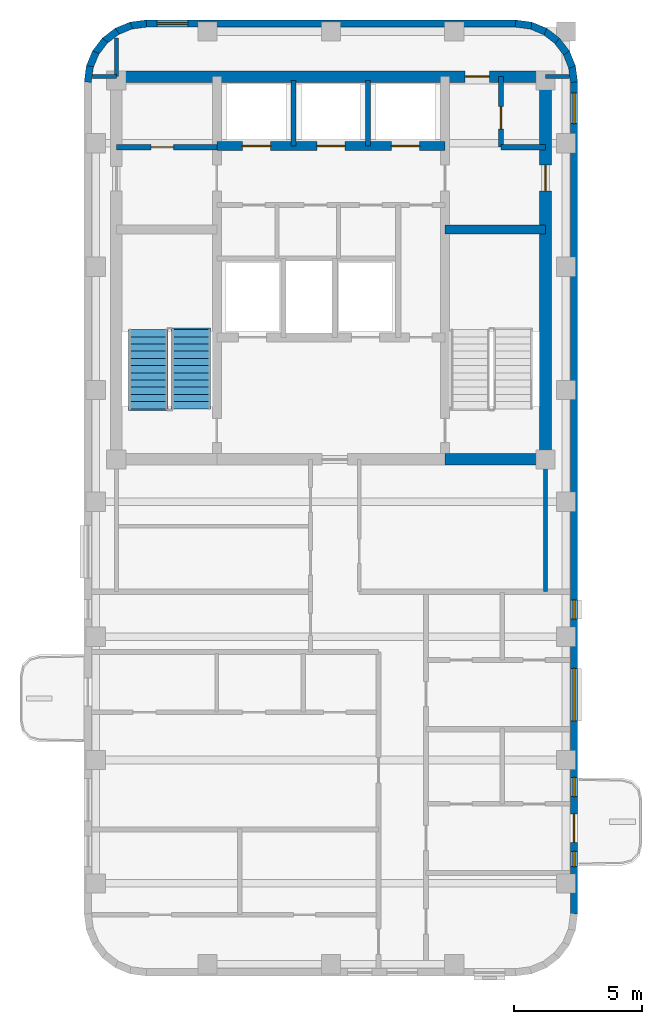
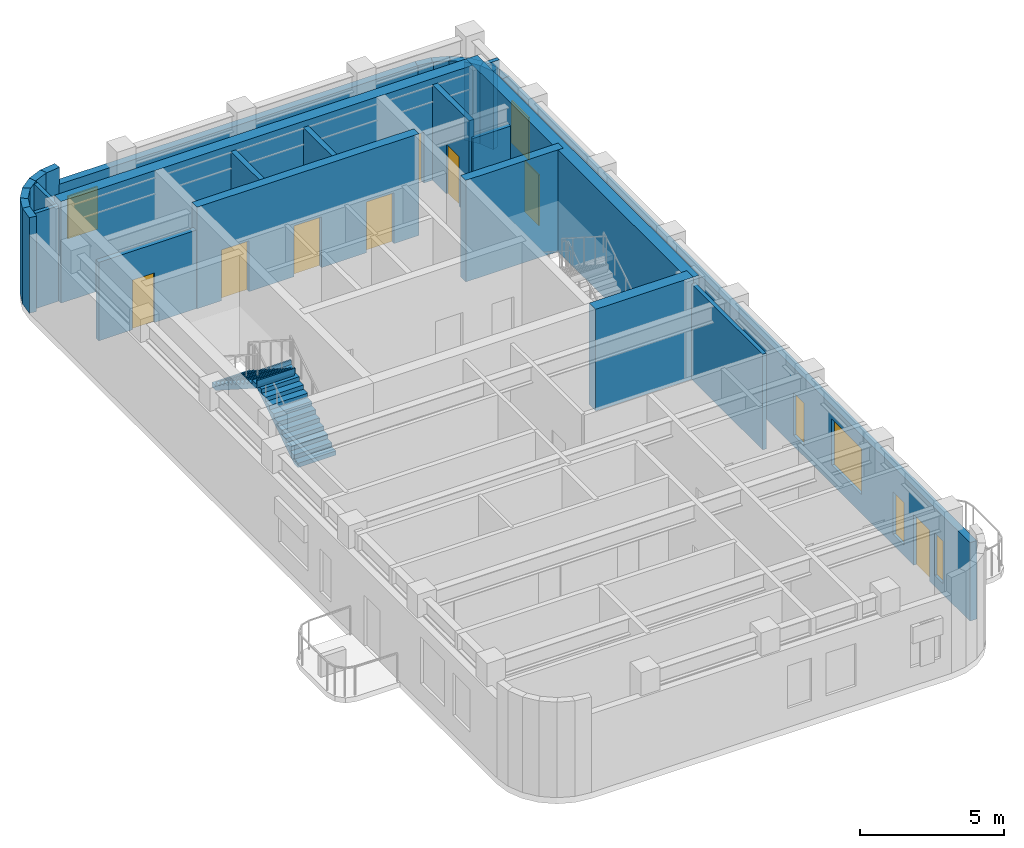
# One storey, part 4 of 6: 28 walls, 8 doors, 6 windows, 2 stair flights, 14 openings, 1 element without a shape of its own.
"""IFC4 building model written with IfcOpenShell, lengths in metres."""

from ifc_helpers import new_model, si_unit, direction, frame, frame_2d, origin, place, context, subcontext, project, spatial, polyline, rectangle, outline, extrude, material, layer, layer_set, type_object, element, fill, aggregate, save


model = new_model("IFC4")

# Units and contexts
model_context = context("Model", 3, precision=1e-05, world=origin(), true_north=direction((0.0, 1.0)))
body_context = subcontext(model_context, "Body", "Model", "MODEL_VIEW")
ifc_project = project(units=[si_unit("LENGTHUNIT", "METRE"), si_unit("AREAUNIT", "SQUARE_METRE"), si_unit("VOLUMEUNIT", "CUBIC_METRE"), si_unit("PLANEANGLEUNIT", "RADIAN"), si_unit("MASSUNIT", "GRAM", prefix="KILO")], contexts=[model_context])

# Site, building, storey
site_placement = place(None, origin())
site = spatial("IfcSite", under=ifc_project, at=site_placement, CompositionType="ELEMENT")
building_placement = place(site_placement, origin())
building = spatial("IfcBuilding", under=site, at=building_placement, Name="Orvandelia Arch Residences", CompositionType="ELEMENT")
storey_placement = place(building_placement, frame((0.0, 0.0, 274.199951171875)))
storey = spatial("IfcBuildingStorey", under=building, at=storey_placement, Name="L71", CompositionType="ELEMENT", Elevation=274.199951171875)

# Wall
ifc_material_1 = material(Name="Concrete C50/60", Category="concrete")
ifc_layer_1 = layer(ifc_material_1, 0.35009765625, Name="Concrete C50/60", Category="concrete")
ifc_layer_set_1 = layer_set([ifc_layer_1], Name="Concrete C50/60")
wall_type_1 = type_object("IfcWallType", Name="WL-CORE-350", PredefinedType="SHEAR", material=ifc_layer_set_1)
wall_1_placement = place(storey_placement, frame((18.840087890625, 39.85009765625, 0.0), z_axis=(0.0, 0.0, 1.0), x_axis=(1.0, 0.0, 0.0)))
element("IfcWall", 1, at=wall_1_placement, inside=storey, type_object=wall_type_1, Name="Core Shear Wall L71-HZ2", PredefinedType="SHEAR", context=body_context, shape_type="SweptSolid", body=[
    extrude(rectangle(XDim=3.909912109375, YDim=0.35009765625, at=frame_2d((1.955078125, 0.0))), origin(), (0.0, 0.0, 1.0), 4.300048828125),
])

# Wall, openings, doors
wall_2_placement = place(storey_placement, frame((9.9599609375, 43.10009765625, 0.0), z_axis=(0.0, 0.0, 1.0), x_axis=(1.0, 0.0, 0.0)))
wall_2 = element("IfcWall", 2, at=wall_2_placement, inside=storey, type_object=wall_type_1, Name="Core Shear Wall L71-HZ4", PredefinedType="SHEAR", context=body_context, shape_type="SweptSolid", body=[
    extrude(rectangle(XDim=8.880126953125, YDim=0.35009765625, at=frame_2d((4.43994140625, 0.0))), origin(), (0.0, 0.0, 1.0), 4.300048828125),
])
opening_1_placement = place(wall_2_placement, frame((0.989990234375, 0.0, 0.0)))
opening_1 = element("IfcOpeningElement", 3, at=opening_1_placement, cuts=wall_2, Name="Opening LD", PredefinedType="OPENING", context=body_context, shape_type="SweptSolid", body=[
    extrude(rectangle(XDim=1.10009765625, YDim=2.14990234375, at=frame_2d((0.550048828125, 1.074951171875))), frame((0.0, 0.18505859375, 0.0), z_axis=(0.0, -1.0, 0.0), x_axis=(1.0, 0.0, 0.0)), (0.0, 0.0, 1.0), 0.3701171875),
])
opening_2_placement = place(wall_2_placement, frame((3.889892578125, 0.0, 0.0)))
opening_2 = element("IfcOpeningElement", 4, at=opening_2_placement, cuts=wall_2, Name="Opening LD", PredefinedType="OPENING", context=body_context, shape_type="SweptSolid", body=[
    extrude(rectangle(XDim=1.10009765625, YDim=2.14990234375, at=frame_2d((0.550048828125, 1.074951171875))), frame((0.0, 0.18505859375, 0.0), z_axis=(0.0, -1.0, 0.0), x_axis=(1.0, 0.0, 0.0)), (0.0, 0.0, 1.0), 0.3701171875),
])
opening_3_placement = place(wall_2_placement, frame((6.7900390625, 0.0, 0.0)))
opening_3 = element("IfcOpeningElement", 5, at=opening_3_placement, cuts=wall_2, Name="Opening LD", PredefinedType="OPENING", context=body_context, shape_type="SweptSolid", body=[
    extrude(rectangle(XDim=1.10009765625, YDim=2.14990234375, at=frame_2d((0.550048828125, 1.074951171875))), frame((0.0, 0.18505859375, 0.0), z_axis=(0.0, -1.0, 0.0), x_axis=(1.0, 0.0, 0.0)), (0.0, 0.0, 1.0), 0.3701171875),
])
ifc_material_2 = material(Name="Brushed Stainless Steel Sliding Lift Door", Category="steel")
door_type_1 = type_object("IfcDoorType", Name="DR-LIFT-1100", OperationType="NOTDEFINED", PredefinedType="DOOR", material=ifc_material_2)
door_1_placement = place(opening_1_placement, origin())
door_1 = element("IfcDoor", 6, at=door_1_placement, inside=storey, type_object=door_type_1, Name="Lift Landing Door LD-PH1-L71", OperationType="SLIDING_TO_LEFT", OverallHeight=2.14990234375, OverallWidth=1.10009765625, PredefinedType="DOOR", context=body_context, shape_type="SweptSolid", body=[
    extrude(rectangle(XDim=1.10009765625, YDim=2.14990234375, at=frame_2d((0.550048828125, 1.074951171875))), frame((0.0, 0.02490234375, 0.0), z_axis=(0.0, -1.0, 0.0), x_axis=(1.0, 0.0, 0.0)), (0.0, 0.0, 1.0), 0.050048828125),
])
fill(opening_1, door_1)
door_2_placement = place(opening_2_placement, origin())
door_2 = element("IfcDoor", 7, at=door_2_placement, inside=storey, type_object=door_type_1, Name="Lift Landing Door LD-PH2-L71", OperationType="SLIDING_TO_RIGHT", OverallHeight=2.14990234375, OverallWidth=1.10009765625, PredefinedType="DOOR", context=body_context, shape_type="SweptSolid", body=[
    extrude(rectangle(XDim=1.10009765625, YDim=2.14990234375, at=frame_2d((0.550048828125, 1.074951171875))), frame((0.0, 0.02490234375, 0.0), z_axis=(0.0, -1.0, 0.0), x_axis=(1.0, 0.0, 0.0)), (0.0, 0.0, 1.0), 0.050048828125),
])
fill(opening_2, door_2)
door_3_placement = place(opening_3_placement, origin())
door_3 = element("IfcDoor", 8, at=door_3_placement, inside=storey, type_object=door_type_1, Name="Lift Landing Door LD-PH3-L71", OperationType="SLIDING_TO_LEFT", OverallHeight=2.14990234375, OverallWidth=1.10009765625, PredefinedType="DOOR", context=body_context, shape_type="SweptSolid", body=[
    extrude(rectangle(XDim=1.10009765625, YDim=2.14990234375, at=frame_2d((0.550048828125, 1.074951171875))), frame((0.0, 0.02490234375, 0.0), z_axis=(0.0, -1.0, 0.0), x_axis=(1.0, 0.0, 0.0)), (0.0, 0.0, 1.0), 0.050048828125),
])
fill(opening_3, door_3)

# Wall, opening, door
ifc_layer_2 = layer(ifc_material_1, 0.449951171875, Name="Concrete C50/60", Category="concrete")
ifc_layer_set_2 = layer_set([ifc_layer_2], Name="Concrete C50/60")
wall_type_2 = type_object("IfcWallType", Name="WL-CORE-450", PredefinedType="SHEAR", material=ifc_layer_set_2)
wall_3_placement = place(storey_placement, frame((22.75, 30.675048828125, 0.0), z_axis=(0.0, 0.0, 1.0), x_axis=(0.0, 1.0, 0.0)))
wall_3 = element("IfcWall", 9, at=wall_3_placement, inside=storey, type_object=wall_type_2, Name="Core Shear Wall L71-E", PredefinedType="SHEAR", context=body_context, shape_type="SweptSolid", body=[
    extrude(rectangle(XDim=15.349853515625, YDim=0.449951171875, at=frame_2d((7.6748046875, 0.0))), origin(), (0.0, 0.0, 1.0), 4.300048828125),
])
opening_4_placement = place(wall_3_placement, frame((10.675048828125, 0.0, 0.0)))
opening_4 = element("IfcOpeningElement", 10, at=opening_4_placement, cuts=wall_3, Name="Opening D6", PredefinedType="OPENING", context=body_context, shape_type="SweptSolid", body=[
    extrude(rectangle(XDim=1.0, YDim=2.14990234375, at=frame_2d((0.5, 1.074951171875))), frame((0.0, 0.23486328125, 0.0), z_axis=(0.0, -1.0, 0.0), x_axis=(1.0, 0.0, 0.0)), (0.0, 0.0, 1.0), 0.469970703125),
])
ifc_material_3 = material(Name="Smokeproof Painted Steel Fire Door", Category="steel")
door_type_2 = type_object("IfcDoorType", Name="DR-FD60-1000", OperationType="NOTDEFINED", PredefinedType="DOOR", material=ifc_material_3)
door_4_placement = place(opening_4_placement, origin())
door_4 = element("IfcDoor", 11, at=door_4_placement, inside=storey, type_object=door_type_2, Name="Core East Corridor Link Door L71", OperationType="SINGLE_SWING_LEFT", OverallHeight=2.14990234375, OverallWidth=1.0, PredefinedType="DOOR", context=body_context, shape_type="SweptSolid", body=[
    extrude(rectangle(XDim=1.0, YDim=2.14990234375, at=frame_2d((0.5, 1.074951171875))), frame((0.0, 0.02490234375, 0.0), z_axis=(0.0, -1.0, 0.0), x_axis=(1.0, 0.0, 0.0)), (0.0, 0.0, 1.0), 0.050048828125),
])
fill(opening_4, door_4)

wall_4_placement = place(storey_placement, frame((6.050048828125, 45.800048828125, 0.0), z_axis=(0.0, 0.0, 1.0), x_axis=(1.0, 0.0, 0.0)))
wall_4 = element("IfcWall", 12, at=wall_4_placement, inside=storey, type_object=wall_type_2, Name="Core Shear Wall L71-N", PredefinedType="SHEAR", context=body_context, shape_type="SweptSolid", body=[
    extrude(rectangle(XDim=16.699951171875, YDim=0.449951171875, at=frame_2d((8.35009765625, 0.0))), origin(), (0.0, 0.0, 1.0), 4.300048828125),
])
opening_5_placement = place(wall_4_placement, frame((13.570068359375, 0.0, 0.0)))
opening_5 = element("IfcOpeningElement", 13, at=opening_5_placement, cuts=wall_4, Name="Opening D2", PredefinedType="OPENING", context=body_context, shape_type="SweptSolid", body=[
    extrude(rectangle(XDim=0.949951171875, YDim=2.14990234375, at=frame_2d((0.47509765625, 1.074951171875))), frame((0.0, 0.23486328125, 0.0), z_axis=(0.0, -1.0, 0.0), x_axis=(1.0, 0.0, 0.0)), (0.0, 0.0, 1.0), 0.469970703125),
])
ifc_material_4 = material(Name="Solid-Core Timber Interior Fire Door", Category="wood")
door_type_3 = type_object("IfcDoorType", Name="DR-APT-950", OperationType="NOTDEFINED", PredefinedType="DOOR", material=ifc_material_4)
door_5_placement = place(opening_5_placement, origin())
door_5 = element("IfcDoor", 14, at=door_5_placement, inside=storey, type_object=door_type_3, Name="North Harbour Suite Entry Door L71", OperationType="SINGLE_SWING_LEFT", OverallHeight=2.14990234375, OverallWidth=0.949951171875, PredefinedType="DOOR", context=body_context, shape_type="SweptSolid", body=[
    extrude(rectangle(XDim=0.949951171875, YDim=2.14990234375, at=frame_2d((0.47509765625, 1.074951171875))), frame((0.0, 0.02490234375, 0.0), z_axis=(0.0, -1.0, 0.0), x_axis=(1.0, 0.0, 0.0)), (0.0, 0.0, 1.0), 0.050048828125),
])
fill(opening_5, door_5)

# Walls
wall_5_placement = place(storey_placement, frame((18.840087890625, 30.89990234375, 0.0), z_axis=(0.0, 0.0, 1.0), x_axis=(1.0, 0.0, 0.0)))
element("IfcWall", 15, at=wall_5_placement, inside=storey, type_object=wall_type_2, Name="Core Shear Wall L71-SE", PredefinedType="SHEAR", context=body_context, shape_type="SweptSolid", body=[
    extrude(rectangle(XDim=3.909912109375, YDim=0.449951171875, at=frame_2d((1.955078125, 0.0))), origin(), (0.0, 0.0, 1.0), 4.300048828125),
])
ifc_material_5 = material(Name="Precast concrete C40/50", Category="concrete")
ifc_layer_3 = layer(ifc_material_5, 0.280029296875, Name="Precast concrete C40/50", Category="concrete")
ifc_layer_set_3 = layer_set([ifc_layer_3], Name="Precast concrete C40/50")
wall_type_3 = type_object("IfcWallType", Name="WL-EXT-STONE-280", PredefinedType="STANDARD", material=ifc_layer_set_3)
for number, where, z_axis, x_axis, name in (
    (16, (4.938720703125, 45.581787109375, 0.0), (0.0, 0.0, 1.0), (0.130555323746, 0.9914410257, 0.0), "Coral-Limestone Precast Facade Wall L71-001"),
    (17, (5.010986328125, 46.16748046875, 0.0), (0.0, 0.0, 1.0), (0.382650053678, 0.92389335771, 0.0), "Coral-Limestone Precast Facade Wall L71-002"),
    (18, (5.232666015625, 46.71484375, 0.0), (0.0, 0.0, 1.0), (0.608693302629, 0.793405610854, 0.0), "Coral-Limestone Precast Facade Wall L71-003"),
    (19, (5.588134765625, 47.18603515625, 0.0), (0.0, 0.0, 1.0), (0.793405610854, 0.608693302629, 0.0), "Coral-Limestone Precast Facade Wall L71-004"),
):
    element("IfcWall", number, at=place(storey_placement, frame(where, z_axis=z_axis, x_axis=x_axis)), inside=storey, type_object=wall_type_3, Name=name, PredefinedType="STANDARD", context=body_context, shape_type="SweptSolid", body=[
        extrude(rectangle(XDim=0.62646484375, YDim=0.280029296875, at=frame_2d((0.313232421875, 0.0))), origin(), (0.0, 0.0, 1.0), 4.0400390625),
    ])
wall_6_placement = place(storey_placement, frame((6.0537109375, 47.54931640625, 0.0), z_axis=(0.0, 0.0, 1.0), x_axis=(0.923974080304, 0.382455093999, 0.0)))
element("IfcWall", 20, at=wall_6_placement, inside=storey, type_object=wall_type_3, Name="Coral-Limestone Precast Facade Wall L71-005", PredefinedType="STANDARD", context=body_context, shape_type="SweptSolid", body=[
    extrude(rectangle(XDim=0.626220703125, YDim=0.280029296875, at=frame_2d((0.31298828125, 0.0))), origin(), (0.0, 0.0, 1.0), 4.0400390625),
])
wall_7_placement = place(storey_placement, frame((6.59716796875, 47.779296875, 0.0), z_axis=(0.0, 0.0, 1.0), x_axis=(0.9914410257, 0.130555323746, 0.0)))
element("IfcWall", 21, at=wall_7_placement, inside=storey, type_object=wall_type_3, Name="Coral-Limestone Precast Facade Wall L71-006", PredefinedType="STANDARD", context=body_context, shape_type="SweptSolid", body=[
    extrude(rectangle(XDim=0.62646484375, YDim=0.280029296875, at=frame_2d((0.313232421875, 0.0))), origin(), (0.0, 0.0, 1.0), 4.0400390625),
])

# Wall, opening, window
wall_8_placement = place(storey_placement, frame((7.199951171875, 47.860107421875, 0.0), z_axis=(0.0, 0.0, 1.0), x_axis=(1.0, 0.0, 0.0)))
wall_8 = element("IfcWall", 22, at=wall_8_placement, inside=storey, type_object=wall_type_3, Name="Coral-Limestone Precast Facade Wall L71-007", PredefinedType="STANDARD", context=body_context, shape_type="SweptSolid", body=[
    extrude(rectangle(XDim=14.400146484375, YDim=0.280029296875, at=frame_2d((7.2001953125, 0.0))), origin(), (0.0, 0.0, 1.0), 3.320068359375),
])
opening_6_placement = place(wall_8_placement, frame((0.4326171875, 0.0, 0.800048828125)))
opening_6 = element("IfcOpeningElement", 23, at=opening_6_placement, cuts=wall_8, Name="Opening W3", PredefinedType="OPENING", context=body_context, shape_type="SweptSolid", body=[
    extrude(rectangle(XDim=1.199951171875, YDim=1.800048828125, at=frame_2d((0.60009765625, 0.89990234375))), frame((0.0, 0.14990234375, 0.0), z_axis=(0.0, -1.0, 0.0), x_axis=(1.0, 0.0, 0.0)), (0.0, 0.0, 1.0), 0.300048828125),
])
ifc_material_6 = material(Name="Tempered Low-E Insulated Glazing", Category="glass")
window_type_1 = type_object("IfcWindowType", Name="WIN-RES-1200x1800", PartitioningType="SINGLE_PANEL", PredefinedType="WINDOW", material=ifc_material_6)
window_1_placement = place(opening_6_placement, origin())
window_1 = element("IfcWindow", 24, at=window_1_placement, inside=storey, type_object=window_type_1, Name="Recessed Punched Window L71-001", OverallHeight=1.800048828125, OverallWidth=1.199951171875, PartitioningType="SINGLE_PANEL", PredefinedType="WINDOW", context=body_context, shape_type="SweptSolid", body=[
    extrude(rectangle(XDim=1.199951171875, YDim=1.800048828125, at=frame_2d((0.60009765625, 0.89990234375))), frame((0.0, 0.030029296875, 0.0), z_axis=(0.0, -1.0, 0.0), x_axis=(1.0, 0.0, 0.0)), (0.0, 0.0, 1.0), 0.06005859375),
])
fill(opening_6, window_1)

# Walls
for number, where, z_axis, x_axis, name in (
    (25, (21.581787109375, 47.861083984375, 0.0), (0.0, 0.0, 1.0), (0.9914410257, -0.130555323746, 0.0), "Coral-Limestone Precast Facade Wall L71-008"),
    (26, (22.16748046875, 47.788818359375, 0.0), (0.0, 0.0, 1.0), (0.924031075431, -0.382317370307, 0.0), "Coral-Limestone Precast Facade Wall L71-009"),
    (27, (22.71484375, 47.5673828125, 0.0), (0.0, 0.0, 1.0), (0.793405610854, -0.608693302629, 0.0), "Coral-Limestone Precast Facade Wall L71-010"),
    (28, (23.18603515625, 47.2119140625, 0.0), (0.0, 0.0, 1.0), (0.608693302629, -0.793405610854, 0.0), "Coral-Limestone Precast Facade Wall L71-011"),
    (29, (23.54931640625, 46.746337890625, 0.0), (0.0, 0.0, 1.0), (0.382317370307, -0.924031075431, 0.0), "Coral-Limestone Precast Facade Wall L71-012"),
    (30, (23.779296875, 46.202880859375, 0.0), (0.0, 0.0, 1.0), (0.130555323746, -0.9914410257, 0.0), "Coral-Limestone Precast Facade Wall L71-013"),
):
    element("IfcWall", number, at=place(storey_placement, frame(where, z_axis=z_axis, x_axis=x_axis)), inside=storey, type_object=wall_type_3, Name=name, PredefinedType="STANDARD", context=body_context, shape_type="SweptSolid", body=[
        extrude(rectangle(XDim=0.62646484375, YDim=0.280029296875, at=frame_2d((0.313232421875, 0.0))), origin(), (0.0, 0.0, 1.0), 3.320068359375),
    ])

# Wall, openings, door, windows
wall_9_placement = place(storey_placement, frame((23.860107421875, 45.60009765625, 0.0), z_axis=(0.0, 0.0, 1.0), x_axis=(0.0, -1.0, 0.0)))
wall_9 = element("IfcWall", 31, at=wall_9_placement, inside=storey, type_object=wall_type_3, Name="Coral-Limestone Precast Facade Wall L71-014", PredefinedType="STANDARD", context=body_context, shape_type="SweptSolid", body=[
    extrude(rectangle(XDim=32.400146484375, YDim=0.280029296875, at=frame_2d((16.2001953125, 0.0))), origin(), (0.0, 0.0, 1.0), 3.320068359375),
])
opening_7_placement = place(wall_9_placement, frame((28.5, 0.0, 0.0)))
opening_7 = element("IfcOpeningElement", 32, at=opening_7_placement, cuts=wall_9, Name="Opening BD1", PredefinedType="OPENING", context=body_context, shape_type="SweptSolid", body=[
    extrude(rectangle(XDim=1.10009765625, YDim=2.14990234375, at=frame_2d((0.550048828125, 1.074951171875))), frame((0.0, 0.14990234375, 0.0), z_axis=(0.0, -1.0, 0.0), x_axis=(1.0, 0.0, 0.0)), (0.0, 0.0, 1.0), 0.300048828125),
])
opening_8_placement = place(wall_9_placement, frame((29.949951171875, 0.0, 0.449951171875)))
opening_8 = element("IfcOpeningElement", 33, at=opening_8_placement, cuts=wall_9, Name="Opening W12", PredefinedType="OPENING", context=body_context, shape_type="SweptSolid", body=[
    extrude(rectangle(XDim=0.60009765625, YDim=1.800048828125, at=frame_2d((0.300048828125, 0.89990234375))), frame((0.0, 0.14990234375, 0.0), z_axis=(0.0, -1.0, 0.0), x_axis=(1.0, 0.0, 0.0)), (0.0, 0.0, 1.0), 0.300048828125),
])
opening_9_placement = place(wall_9_placement, frame((22.8291015625, 0.0, 0.800048828125)))
opening_9 = element("IfcOpeningElement", 34, at=opening_9_placement, cuts=wall_9, Name="Opening W8", PredefinedType="OPENING", context=body_context, shape_type="SweptSolid", body=[
    extrude(rectangle(XDim=2.050048828125, YDim=1.949951171875, at=frame_2d((1.02490234375, 0.97509765625))), frame((0.0, 0.14990234375, 0.0), z_axis=(0.0, -1.0, 0.0), x_axis=(1.0, 0.0, 0.0)), (0.0, 0.0, 1.0), 0.300048828125),
])
opening_10_placement = place(wall_9_placement, frame((0.4326171875, 0.0, 0.800048828125)))
opening_10 = element("IfcOpeningElement", 35, at=opening_10_placement, cuts=wall_9, Name="Opening W3", PredefinedType="OPENING", context=body_context, shape_type="SweptSolid", body=[
    extrude(rectangle(XDim=1.199951171875, YDim=1.800048828125, at=frame_2d((0.60009765625, 0.89990234375))), frame((0.0, 0.14990234375, 0.0), z_axis=(0.0, -1.0, 0.0), x_axis=(1.0, 0.0, 0.0)), (0.0, 0.0, 1.0), 0.300048828125),
])
opening_11_placement = place(wall_9_placement, frame((27.076416015625, 0.0, 0.449951171875)))
opening_11 = element("IfcOpeningElement", 36, at=opening_11_placement, cuts=wall_9, Name="Opening W11", PredefinedType="OPENING", context=body_context, shape_type="SweptSolid", body=[
    extrude(rectangle(XDim=0.75, YDim=1.800048828125, at=frame_2d((0.375, 0.89990234375))), frame((0.0, 0.14990234375, 0.0), z_axis=(0.0, -1.0, 0.0), x_axis=(1.0, 0.0, 0.0)), (0.0, 0.0, 1.0), 0.300048828125),
])
opening_12_placement = place(wall_9_placement, frame((20.16748046875, 0.0, 0.449951171875)))
opening_12 = element("IfcOpeningElement", 37, at=opening_12_placement, cuts=wall_9, Name="Opening W11", PredefinedType="OPENING", context=body_context, shape_type="SweptSolid", body=[
    extrude(rectangle(XDim=0.75, YDim=1.800048828125, at=frame_2d((0.375, 0.89990234375))), frame((0.0, 0.14990234375, 0.0), z_axis=(0.0, -1.0, 0.0), x_axis=(1.0, 0.0, 0.0)), (0.0, 0.0, 1.0), 0.300048828125),
])
ifc_material_7 = material(Name="Thermally Broken Aluminium Glazed Door", Category="aluminium")
door_type_4 = type_object("IfcDoorType", Name="DR-BAL-GLAZ-1100", OperationType="NOTDEFINED", PredefinedType="DOOR", material=ifc_material_7)
door_6_placement = place(opening_7_placement, origin())
door_6 = element("IfcDoor", 38, at=door_6_placement, inside=storey, type_object=door_type_4, Name="Tree Balcony Glazed Door BAL-L71-W2", OperationType="SINGLE_SWING_LEFT", OverallHeight=2.14990234375, OverallWidth=1.10009765625, PredefinedType="DOOR", context=body_context, shape_type="SweptSolid", body=[
    extrude(rectangle(XDim=1.10009765625, YDim=2.14990234375, at=frame_2d((0.550048828125, 1.074951171875))), frame((0.0, 0.02490234375, 0.0), z_axis=(0.0, -1.0, 0.0), x_axis=(1.0, 0.0, 0.0)), (0.0, 0.0, 1.0), 0.050048828125),
])
fill(opening_7, door_6)
window_type_2 = type_object("IfcWindowType", Name="WIN-BED-0750x1800", PartitioningType="SINGLE_PANEL", PredefinedType="WINDOW", material=ifc_material_6)
window_2_placement = place(opening_11_placement, origin())
window_2 = element("IfcWindow", 39, at=window_2_placement, inside=storey, type_object=window_type_2, Name="Recessed Punched Window L71-005", OverallHeight=1.800048828125, OverallWidth=0.75, PartitioningType="SINGLE_PANEL", PredefinedType="WINDOW", context=body_context, shape_type="SweptSolid", body=[
    extrude(rectangle(XDim=0.75, YDim=1.800048828125, at=frame_2d((0.375, 0.89990234375))), frame((0.0, 0.030029296875, 0.0), z_axis=(0.0, -1.0, 0.0), x_axis=(1.0, 0.0, 0.0)), (0.0, 0.0, 1.0), 0.06005859375),
])
fill(opening_11, window_2)
window_3_placement = place(opening_12_placement, origin())
window_3 = element("IfcWindow", 40, at=window_3_placement, inside=storey, type_object=window_type_2, Name="Recessed Punched Window L71-006", OverallHeight=1.800048828125, OverallWidth=0.75, PartitioningType="SINGLE_PANEL", PredefinedType="WINDOW", context=body_context, shape_type="SweptSolid", body=[
    extrude(rectangle(XDim=0.75, YDim=1.800048828125, at=frame_2d((0.375, 0.89990234375))), frame((0.0, 0.030029296875, 0.0), z_axis=(0.0, -1.0, 0.0), x_axis=(1.0, 0.0, 0.0)), (0.0, 0.0, 1.0), 0.06005859375),
])
fill(opening_12, window_3)
window_type_3 = type_object("IfcWindowType", Name="WIN-LAN-0600x1800", PartitioningType="SINGLE_PANEL", PredefinedType="WINDOW", material=ifc_material_6)
window_4_placement = place(opening_8_placement, origin())
window_4 = element("IfcWindow", 41, at=window_4_placement, inside=storey, type_object=window_type_3, Name="Recessed Punched Window L71-002", OverallHeight=1.800048828125, OverallWidth=0.60009765625, PartitioningType="SINGLE_PANEL", PredefinedType="WINDOW", context=body_context, shape_type="SweptSolid", body=[
    extrude(rectangle(XDim=0.60009765625, YDim=1.800048828125, at=frame_2d((0.300048828125, 0.89990234375))), frame((0.0, 0.030029296875, 0.0), z_axis=(0.0, -1.0, 0.0), x_axis=(1.0, 0.0, 0.0)), (0.0, 0.0, 1.0), 0.06005859375),
])
fill(opening_8, window_4)
window_5_placement = place(opening_10_placement, origin())
window_5 = element("IfcWindow", 42, at=window_5_placement, inside=storey, type_object=window_type_1, Name="Recessed Punched Window L71-004", OverallHeight=1.800048828125, OverallWidth=1.199951171875, PartitioningType="SINGLE_PANEL", PredefinedType="WINDOW", context=body_context, shape_type="SweptSolid", body=[
    extrude(rectangle(XDim=1.199951171875, YDim=1.800048828125, at=frame_2d((0.60009765625, 0.89990234375))), frame((0.0, 0.030029296875, 0.0), z_axis=(0.0, -1.0, 0.0), x_axis=(1.0, 0.0, 0.0)), (0.0, 0.0, 1.0), 0.06005859375),
])
fill(opening_10, window_5)
window_type_4 = type_object("IfcWindowType", Name="WIN-UPP-2050x1950", PartitioningType="SINGLE_PANEL", PredefinedType="WINDOW", material=ifc_material_6)
window_6_placement = place(opening_9_placement, origin())
window_6 = element("IfcWindow", 43, at=window_6_placement, inside=storey, type_object=window_type_4, Name="Recessed Punched Window L71-003", OverallHeight=1.949951171875, OverallWidth=2.050048828125, PartitioningType="SINGLE_PANEL", PredefinedType="WINDOW", context=body_context, shape_type="SweptSolid", body=[
    extrude(rectangle(XDim=2.050048828125, YDim=1.949951171875, at=frame_2d((1.02490234375, 0.97509765625))), frame((0.0, 0.030029296875, 0.0), z_axis=(0.0, -1.0, 0.0), x_axis=(1.0, 0.0, 0.0)), (0.0, 0.0, 1.0), 0.06005859375),
])
fill(opening_9, window_6)

# Walls
ifc_material_8 = material(Name="Acoustic Gypsum Stud Partition")
ifc_layer_4 = layer(ifc_material_8, 0.14990234375, Name="Acoustic Gypsum Stud Partition")
ifc_layer_set_4 = layer_set([ifc_layer_4], Name="Acoustic Gypsum Stud Partition")
wall_type_4 = type_object("IfcWallType", Name="WL-PART-150", PredefinedType="PARTITIONING", material=ifc_layer_set_4)
wall_10_placement = place(storey_placement, frame((22.75, 25.75, 0.0), z_axis=(0.0, 0.0, 1.0), x_axis=(0.0, 1.0, 0.0)))
element("IfcWall", 44, at=wall_10_placement, inside=storey, type_object=wall_type_4, Name="Interior Partition Wall WL-L71-HI-WE", PredefinedType="PARTITIONING", context=body_context, shape_type="SweptSolid", body=[
    extrude(rectangle(XDim=5.14990234375, YDim=0.14990234375, at=frame_2d((2.574951171875, 0.0))), origin(), (0.0, 0.0, 1.0), 4.0400390625),
])
wall_11_placement = place(storey_placement, frame((5.1201171875, 45.800048828125, 0.0), z_axis=(0.0, 0.0, 1.0), x_axis=(1.0, 0.0, 0.0)))
element("IfcWall", 45, at=wall_11_placement, inside=storey, type_object=wall_type_4, Name="Interior Partition Wall WL-L71-WF-N", PredefinedType="PARTITIONING", context=body_context, shape_type="SweptSolid", body=[
    extrude(rectangle(XDim=0.929931640625, YDim=0.14990234375, at=frame_2d((0.46484375, 0.0))), origin(), (0.0, 0.0, 1.0), 4.0400390625),
])
wall_12_placement = place(storey_placement, frame((6.050048828125, 45.800048828125, 0.0), z_axis=(0.0, 0.0, 1.0), x_axis=(0.0, 1.0, 0.0)))
element("IfcWall", 46, at=wall_12_placement, inside=storey, type_object=wall_type_4, Name="Interior Partition Wall WL-L71-NHI-W6", PredefinedType="PARTITIONING", context=body_context, shape_type="SweptSolid", body=[
    extrude(rectangle(XDim=1.5, YDim=0.14990234375, at=frame_2d((0.75, 0.0))), origin(), (0.0, 0.0, 1.0), 4.0400390625),
])
wall_13_placement = place(storey_placement, frame((22.75, 45.800048828125, 0.0), z_axis=(0.0, 0.0, 1.0), x_axis=(1.0, 0.0, 0.0)))
element("IfcWall", 47, at=wall_13_placement, inside=storey, type_object=wall_type_4, Name="Interior Partition Wall WL-L71-SEFLK-N", PredefinedType="PARTITIONING", context=body_context, shape_type="SweptSolid", body=[
    extrude(rectangle(XDim=0.929931640625, YDim=0.14990234375, at=frame_2d((0.46484375, 0.0))), origin(), (0.0, 0.0, 1.0), 4.0400390625),
])
ifc_material_9 = material(Name="Fire-Rated Shaft Enclosure Wall")
ifc_layer_5 = layer(ifc_material_9, 0.199951171875, Name="Fire-Rated Shaft Enclosure Wall")
ifc_layer_set_5 = layer_set([ifc_layer_5], Name="Fire-Rated Shaft Enclosure Wall")
wall_type_5 = type_object("IfcWallType", Name="WL-SHAFT-200", PredefinedType="POLYGONAL", material=ifc_layer_set_5)
wall_14_placement = place(storey_placement, frame((21.02001953125, 43.050048828125, 0.0), z_axis=(0.0, 0.0, 1.0), x_axis=(1.0, 0.0, 0.0)))
element("IfcWall", 48, at=wall_14_placement, inside=storey, type_object=wall_type_5, Name="Interior Partition Wall WL-L71-HLE-N", PredefinedType="POLYGONAL", context=body_context, shape_type="SweptSolid", body=[
    extrude(rectangle(XDim=1.72998046875, YDim=0.199951171875, at=frame_2d((0.864990234375, 0.0))), origin(), (0.0, 0.0, 1.0), 3.320068359375),
])

# Wall, opening, door
wall_15_placement = place(storey_placement, frame((21.02001953125, 43.050048828125, 0.0), z_axis=(0.0, 0.0, 1.0), x_axis=(0.0, 1.0, 0.0)))
wall_15 = element("IfcWall", 49, at=wall_15_placement, inside=storey, type_object=wall_type_5, Name="Interior Partition Wall WL-L71-HLE-W21", PredefinedType="POLYGONAL", context=body_context, shape_type="SweptSolid", body=[
    extrude(rectangle(XDim=2.75, YDim=0.199951171875, at=frame_2d((1.375, 0.0))), origin(), (0.0, 0.0, 1.0), 4.0400390625),
])
opening_13_placement = place(wall_15_placement, frame((0.699951171875, 0.0, 0.0)))
opening_13 = element("IfcOpeningElement", 50, at=opening_13_placement, cuts=wall_15, Name="Opening D5", PredefinedType="OPENING", context=body_context, shape_type="SweptSolid", body=[
    extrude(rectangle(XDim=0.8798828125, YDim=2.10009765625, at=frame_2d((0.43994140625, 1.050048828125))), frame((0.0, 0.10986328125, 0.0), z_axis=(0.0, -1.0, 0.0), x_axis=(1.0, 0.0, 0.0)), (0.0, 0.0, 1.0), 0.219970703125),
])
ifc_material_10 = material(Name="Painted Galvanised Steel Service Door", Category="steel")
door_type_5 = type_object("IfcDoorType", Name="DR-SRV-880", OperationType="NOTDEFINED", PredefinedType="DOOR", material=ifc_material_10)
door_7_placement = place(opening_13_placement, origin())
door_7 = element("IfcDoor", 51, at=door_7_placement, inside=storey, type_object=door_type_5, Name="DR-L71-CSB1", OperationType="SINGLE_SWING_RIGHT", OverallHeight=2.10009765625, OverallWidth=0.8798828125, PredefinedType="DOOR", context=body_context, shape_type="SweptSolid", body=[
    extrude(rectangle(XDim=0.8798828125, YDim=2.10009765625, at=frame_2d((0.43994140625, 1.050048828125))), frame((0.0, 0.02490234375, 0.0), z_axis=(0.0, -1.0, 0.0), x_axis=(1.0, 0.0, 0.0)), (0.0, 0.0, 1.0), 0.050048828125),
])
fill(opening_13, door_7)

wall_16_placement = place(storey_placement, frame((6.050048828125, 43.050048828125, 0.0), z_axis=(0.0, 0.0, 1.0), x_axis=(1.0, 0.0, 0.0)))
wall_16 = element("IfcWall", 52, at=wall_16_placement, inside=storey, type_object=wall_type_5, Name="Interior Partition Wall WL-L71-HLW-N", PredefinedType="POLYGONAL", context=body_context, shape_type="SweptSolid", body=[
    extrude(rectangle(XDim=3.909912109375, YDim=0.199951171875, at=frame_2d((1.955078125, 0.0))), origin(), (0.0, 0.0, 1.0), 3.320068359375),
])
opening_14_placement = place(wall_16_placement, frame((1.35009765625, 0.0, 0.0)))
opening_14 = element("IfcOpeningElement", 53, at=opening_14_placement, cuts=wall_16, Name="Opening D5", PredefinedType="OPENING", context=body_context, shape_type="SweptSolid", body=[
    extrude(rectangle(XDim=0.8798828125, YDim=2.10009765625, at=frame_2d((0.43994140625, 1.050048828125))), frame((0.0, 0.10986328125, 0.0), z_axis=(0.0, -1.0, 0.0), x_axis=(1.0, 0.0, 0.0)), (0.0, 0.0, 1.0), 0.219970703125),
])
door_8_placement = place(opening_14_placement, origin())
door_8 = element("IfcDoor", 54, at=door_8_placement, inside=storey, type_object=door_type_5, Name="Riser Service Door L71", OperationType="SINGLE_SWING_RIGHT", OverallHeight=2.10009765625, OverallWidth=0.8798828125, PredefinedType="DOOR", context=body_context, shape_type="SweptSolid", body=[
    extrude(rectangle(XDim=0.8798828125, YDim=2.10009765625, at=frame_2d((0.43994140625, 1.050048828125))), frame((0.0, 0.02490234375, 0.0), z_axis=(0.0, -1.0, 0.0), x_axis=(1.0, 0.0, 0.0)), (0.0, 0.0, 1.0), 0.050048828125),
])
fill(opening_14, door_8)

# Walls
for number, where, z_axis, x_axis, name in (
    (55, (12.949951171875, 43.10009765625, 0.0), (0.0, 0.0, 1.0), (0.0, 1.0, 0.0), "Interior Partition Wall WL-L71-PHD1"),
    (56, (15.85009765625, 43.10009765625, 0.0), (0.0, 0.0, 1.0), (0.0, 1.0, 0.0), "Interior Partition Wall WL-L71-PHD2"),
):
    element("IfcWall", number, at=place(storey_placement, frame(where, z_axis=z_axis, x_axis=x_axis)), inside=storey, type_object=wall_type_5, Name=name, PredefinedType="POLYGONAL", context=body_context, shape_type="SweptSolid", body=[
        extrude(rectangle(XDim=2.5498046875, YDim=0.199951171875, at=frame_2d((1.27490234375, 0.0))), origin(), (0.0, 0.0, 1.0), 4.0400390625),
    ])

# Stair, stair flights
ifc_material_11 = material(Name="Concrete C40/50", Category="concrete")
stair_type = type_object("IfcStairType", Name="STAIR-RC-DOGLEG", PredefinedType="HALF_TURN_STAIR", material=ifc_material_11)
stair_placement = place(storey_placement, origin())
stair = element("IfcStair", 57, at=stair_placement, inside=storey, type_object=stair_type, Name="L71 Protected Exit Stair ST-1", PredefinedType="HALF_TURN_STAIR")
stair_flight_type = type_object("IfcStairFlightType", Name="STFLT-RC-1520", PredefinedType="STRAIGHT", material=ifc_material_11)
stair_flight_1_placement = place(storey_placement, frame((8.9599609375, 32.8701171875, 0.0), z_axis=(0.0, 0.0, 1.0), x_axis=(0.0, 1.0, 0.0)))
stair_flight_1 = element("IfcStairFlight", 58, at=stair_flight_1_placement, type_object=stair_flight_type, Name="ST-1 flight 1", NumberOfRisers=12, NumberOfTreads=11, PredefinedType="STRAIGHT", RiserHeight=0.179166667, TreadLength=0.28, context=body_context, shape_type="SweptSolid", body=[
    extrude(outline(polyline([(0.0, 0.0), (0.0, 0.17919921875), (0.280029296875, 0.17919921875), (0.280029296875, 0.3583984375), (0.56005859375, 0.3583984375), (0.56005859375, 0.53759765625), (0.840087890625, 0.53759765625), (0.840087890625, 0.716552734375), (1.1201171875, 0.716552734375), (1.1201171875, 0.895751953125), (1.39990234375, 0.895751953125), (1.39990234375, 1.074951171875), (1.679931640625, 1.074951171875), (1.679931640625, 1.254150390625), (1.9599609375, 1.254150390625), (1.9599609375, 1.433349609375), (2.239990234375, 1.433349609375), (2.239990234375, 1.612548828125), (2.52001953125, 1.612548828125), (2.52001953125, 1.791748046875), (2.800048828125, 1.791748046875), (2.800048828125, 1.970947265625), (3.080078125, 1.970947265625), (3.080078125, 2.14990234375), (3.139892578125, 2.14990234375), (3.139892578125, 1.969970703125), (3.080078125, 1.79296875), (0.278076171875, 0.0), (0.0, 0.0)])), frame((0.0, 0.760009765625, 0.0), z_axis=(0.0, -1.0, 0.0), x_axis=(1.0, 0.0, 0.0)), (0.0, 0.0, 1.0), 1.52001953125),
])
stair_flight_2_placement = place(storey_placement, frame((7.2900390625, 35.949951171875, 2.150146484375), z_axis=(0.0, 0.0, 1.0), x_axis=(0.0, -1.0, 0.0)))
stair_flight_2 = element("IfcStairFlight", 59, at=stair_flight_2_placement, type_object=stair_flight_type, Name="ST-1 flight 2", NumberOfRisers=12, NumberOfTreads=11, PredefinedType="STRAIGHT", RiserHeight=0.179166667, TreadLength=0.28, context=body_context, shape_type="SweptSolid", body=[
    extrude(outline(polyline([(0.0, 0.0), (0.0, 0.17919921875), (0.280029296875, 0.17919921875), (0.280029296875, 0.3583984375), (0.56005859375, 0.3583984375), (0.56005859375, 0.53759765625), (0.840087890625, 0.53759765625), (0.840087890625, 0.716552734375), (1.1201171875, 0.716552734375), (1.1201171875, 0.895751953125), (1.39990234375, 0.895751953125), (1.39990234375, 1.074951171875), (1.679931640625, 1.074951171875), (1.679931640625, 1.254150390625), (1.9599609375, 1.254150390625), (1.9599609375, 1.433349609375), (2.239990234375, 1.433349609375), (2.239990234375, 1.612548828125), (2.52001953125, 1.612548828125), (2.52001953125, 1.791748046875), (2.800048828125, 1.791748046875), (2.800048828125, 1.970947265625), (3.080078125, 1.970947265625), (3.080078125, 2.14990234375), (3.139892578125, 2.14990234375), (3.139892578125, 1.969970703125), (3.080078125, 1.79296875), (0.278076171875, 0.0), (0.0, 0.0)])), frame((0.0, 0.760009765625, 0.0), z_axis=(0.0, -1.0, 0.0), x_axis=(1.0, 0.0, 0.0)), (0.0, 0.0, 1.0), 1.52001953125),
])
aggregate(stair, [stair_flight_1, stair_flight_2])

save(model, "model.ifc")
